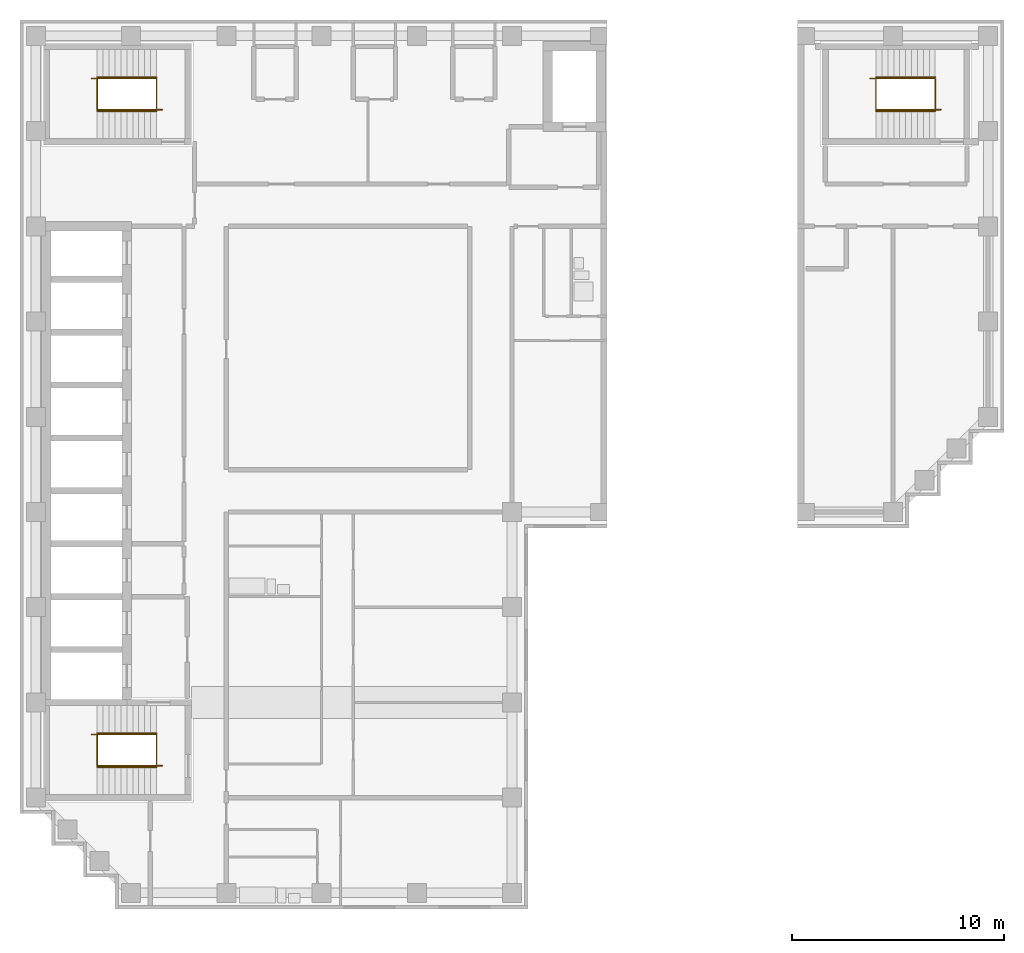
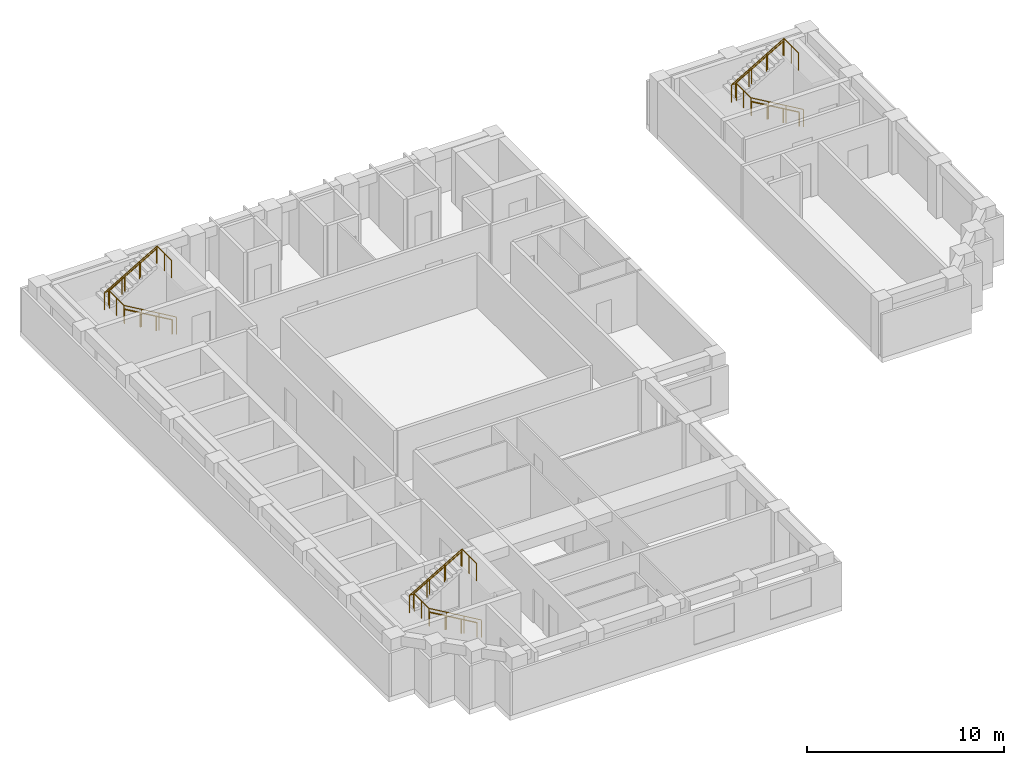
# One storey, part 6 of 7: 9 railings.
"""IFC4 building model written with IfcOpenShell, lengths in metres."""

from ifc_helpers import new_model, si_unit, direction, frame, origin, origin_2d, place, context, subcontext, project, spatial, circle, extrude, material, type_object, element, save


model = new_model("IFC4")

# Units and contexts
model_context = context("Model", 3, precision=1e-05, world=origin(), true_north=direction((0.0, 1.0)))
body_context = subcontext(model_context, "Body", "Model", "MODEL_VIEW")
ifc_project = project(units=[si_unit("LENGTHUNIT", "METRE"), si_unit("AREAUNIT", "SQUARE_METRE"), si_unit("VOLUMEUNIT", "CUBIC_METRE"), si_unit("PLANEANGLEUNIT", "RADIAN"), si_unit("MASSUNIT", "GRAM", prefix="KILO")], contexts=[model_context])

# Site, building, storey
site_placement = place(None, origin())
site = spatial("IfcSite", under=ifc_project, at=site_placement, CompositionType="ELEMENT")
building_placement = place(site_placement, origin())
building = spatial("IfcBuilding", under=site, at=building_placement, Name="Firuza Court", CompositionType="ELEMENT")
storey_placement = place(building_placement, frame((0.0, 0.0, 243.800048828125)))
storey = spatial("IfcBuildingStorey", under=building, at=storey_placement, Name="L63", CompositionType="ELEMENT", Elevation=243.800048828125)

# Railings
ifc_material_1 = material(Name="Steel S355", Category="steel")
railing_type_1 = type_object("IfcRailingType", Name="Handrail 900", PredefinedType="HANDRAIL", material=ifc_material_1)
railing_1_placement = place(storey_placement, frame((42.5, 54.949951171875, 0.16357421875)))
element("IfcRailing", 1, at=railing_1_placement, inside=storey, type_object=railing_type_1, Name="Handrail S1 flight 1", PredefinedType="HANDRAIL", context=body_context, shape_type="SweptSolid", body=[
    extrude(circle(Radius=0.02490234375, at=origin_2d()), frame((0.0, 0.0, 0.875), z_axis=(-0.863360870873, 0.0, 0.504586966384), x_axis=(0.0, -1.0, 0.0)), (0.0, 0.0, 1.0), 3.2431640625),
    extrude(circle(Radius=0.02001953125, at=origin_2d()), origin(), (0.0, 0.0, 1.0), 0.849853515625),
    extrude(circle(Radius=0.02001953125, at=origin_2d()), frame((-0.933349609375, 0.0, 0.54541015625)), (0.0, 0.0, 1.0), 0.849853515625),
    extrude(circle(Radius=0.02001953125, at=origin_2d()), frame((-1.86669921875, 0.0, 1.091064453125)), (0.0, 0.0, 1.0), 0.849853515625),
    extrude(circle(Radius=0.02001953125, at=origin_2d()), frame((-2.800048828125, 0.0, 1.636474609375)), (0.0, 0.0, 1.0), 0.849853515625),
])
railing_2_placement = place(storey_placement, frame((39.699951171875, 56.550048828125, 1.963623046875)))
element("IfcRailing", 2, at=railing_2_placement, inside=storey, type_object=railing_type_1, Name="Handrail S1 flight 2", PredefinedType="HANDRAIL", context=body_context, shape_type="SweptSolid", body=[
    extrude(circle(Radius=0.02490234375, at=origin_2d()), frame((0.0, 0.0, 0.875), z_axis=(0.863393664356, 0.0, 0.504530851732), x_axis=(0.0, 1.0, 0.0)), (0.0, 0.0, 1.0), 3.2431640625),
    extrude(circle(Radius=0.02001953125, at=origin_2d()), origin(), (0.0, 0.0, 1.0), 0.849853515625),
    extrude(circle(Radius=0.02001953125, at=origin_2d()), frame((0.933349609375, 0.0, 0.54541015625)), (0.0, 0.0, 1.0), 0.849853515625),
    extrude(circle(Radius=0.02001953125, at=origin_2d()), frame((1.86669921875, 0.0, 1.0908203125)), (0.0, 0.0, 1.0), 0.849853515625),
    extrude(circle(Radius=0.02001953125, at=origin_2d()), frame((2.800048828125, 0.0, 1.63623046875)), (0.0, 0.0, 1.0), 0.849853515625),
])
railing_3_placement = place(storey_placement, frame((5.699951171875, 23.949951171875, 0.16357421875)))
element("IfcRailing", 3, at=railing_3_placement, inside=storey, type_object=railing_type_1, Name="Handrail S2 flight 1", PredefinedType="HANDRAIL", context=body_context, shape_type="SweptSolid", body=[
    extrude(circle(Radius=0.02490234375, at=origin_2d()), frame((0.0, 0.0, 0.875), z_axis=(-0.863360870873, 0.0, 0.504586966384), x_axis=(0.0, -1.0, 0.0)), (0.0, 0.0, 1.0), 3.2431640625),
    extrude(circle(Radius=0.02001953125, at=origin_2d()), origin(), (0.0, 0.0, 1.0), 0.849853515625),
    extrude(circle(Radius=0.02001953125, at=origin_2d()), frame((-0.933349609375, 0.0, 0.54541015625)), (0.0, 0.0, 1.0), 0.849853515625),
    extrude(circle(Radius=0.02001953125, at=origin_2d()), frame((-1.86669921875, 0.0, 1.091064453125)), (0.0, 0.0, 1.0), 0.849853515625),
    extrude(circle(Radius=0.02001953125, at=origin_2d()), frame((-2.800048828125, 0.0, 1.636474609375)), (0.0, 0.0, 1.0), 0.849853515625),
])
railing_4_placement = place(storey_placement, frame((2.89990234375, 25.550048828125, 1.963623046875)))
element("IfcRailing", 4, at=railing_4_placement, inside=storey, type_object=railing_type_1, Name="Handrail S2 flight 2", PredefinedType="HANDRAIL", context=body_context, shape_type="SweptSolid", body=[
    extrude(circle(Radius=0.02490234375, at=origin_2d()), frame((0.0, 0.0, 0.875), z_axis=(0.863393664356, 0.0, 0.504530851732), x_axis=(0.0, 1.0, 0.0)), (0.0, 0.0, 1.0), 3.2431640625),
    extrude(circle(Radius=0.02001953125, at=origin_2d()), origin(), (0.0, 0.0, 1.0), 0.849853515625),
    extrude(circle(Radius=0.02001953125, at=origin_2d()), frame((0.933349609375, 0.0, 0.54541015625)), (0.0, 0.0, 1.0), 0.849853515625),
    extrude(circle(Radius=0.02001953125, at=origin_2d()), frame((1.86669921875, 0.0, 1.0908203125)), (0.0, 0.0, 1.0), 0.849853515625),
    extrude(circle(Radius=0.02001953125, at=origin_2d()), frame((2.800048828125, 0.0, 1.63623046875)), (0.0, 0.0, 1.0), 0.849853515625),
])
railing_5_placement = place(storey_placement, frame((5.699951171875, 54.949951171875, 0.16357421875)))
element("IfcRailing", 5, at=railing_5_placement, inside=storey, type_object=railing_type_1, Name="Handrail S3 flight 1", PredefinedType="HANDRAIL", context=body_context, shape_type="SweptSolid", body=[
    extrude(circle(Radius=0.02490234375, at=origin_2d()), frame((0.0, 0.0, 0.875), z_axis=(-0.863360870873, 0.0, 0.504586966384), x_axis=(0.0, -1.0, 0.0)), (0.0, 0.0, 1.0), 3.2431640625),
    extrude(circle(Radius=0.02001953125, at=origin_2d()), origin(), (0.0, 0.0, 1.0), 0.849853515625),
    extrude(circle(Radius=0.02001953125, at=origin_2d()), frame((-0.933349609375, 0.0, 0.54541015625)), (0.0, 0.0, 1.0), 0.849853515625),
    extrude(circle(Radius=0.02001953125, at=origin_2d()), frame((-1.86669921875, 0.0, 1.091064453125)), (0.0, 0.0, 1.0), 0.849853515625),
    extrude(circle(Radius=0.02001953125, at=origin_2d()), frame((-2.800048828125, 0.0, 1.636474609375)), (0.0, 0.0, 1.0), 0.849853515625),
])
railing_6_placement = place(storey_placement, frame((2.89990234375, 56.550048828125, 1.963623046875)))
element("IfcRailing", 6, at=railing_6_placement, inside=storey, type_object=railing_type_1, Name="Handrail S3 flight 2", PredefinedType="HANDRAIL", context=body_context, shape_type="SweptSolid", body=[
    extrude(circle(Radius=0.02490234375, at=origin_2d()), frame((0.0, 0.0, 0.875), z_axis=(0.863393664356, 0.0, 0.504530851732), x_axis=(0.0, 1.0, 0.0)), (0.0, 0.0, 1.0), 3.2431640625),
    extrude(circle(Radius=0.02001953125, at=origin_2d()), origin(), (0.0, 0.0, 1.0), 0.849853515625),
    extrude(circle(Radius=0.02001953125, at=origin_2d()), frame((0.933349609375, 0.0, 0.54541015625)), (0.0, 0.0, 1.0), 0.849853515625),
    extrude(circle(Radius=0.02001953125, at=origin_2d()), frame((1.86669921875, 0.0, 1.0908203125)), (0.0, 0.0, 1.0), 0.849853515625),
    extrude(circle(Radius=0.02001953125, at=origin_2d()), frame((2.800048828125, 0.0, 1.63623046875)), (0.0, 0.0, 1.0), 0.849853515625),
])
ifc_material_2 = material(Name="Steel S355", Category="steel")
railing_type_2 = type_object("IfcRailingType", Name="Stair guard 1100", PredefinedType="GUARDRAIL", material=ifc_material_2)
railing_7_placement = place(storey_placement, frame((42.780029296875, 55.010009765625, 0.0)))
element("IfcRailing", 7, at=railing_7_placement, inside=storey, type_object=railing_type_2, Name="Stair well guard S1", PredefinedType="GUARDRAIL", context=body_context, shape_type="SweptSolid", body=[
    extrude(circle(Radius=0.02490234375, at=origin_2d()), frame((0.0, 0.0, 1.0751953125), z_axis=(-0.863371556955, 0.0, 0.504568681787), x_axis=(0.0, -1.0, 0.0)), (0.0, 0.0, 1.0), 3.5673828125),
    extrude(circle(Radius=0.02490234375, at=origin_2d()), frame((-3.080078125, 0.0, 2.875), z_axis=(0.0, 1.0, 0.0), x_axis=(-1.0, 0.0, 0.0)), (0.0, 0.0, 1.0), 1.47998046875),
    extrude(circle(Radius=0.02490234375, at=origin_2d()), frame((-3.080078125, 1.47998046875, 2.875), z_axis=(-1.0, 0.0, 0.0), x_axis=(0.0, -1.0, 0.0)), (0.0, 0.0, 1.0), 0.280029296875),
    extrude(circle(Radius=0.02490234375, at=origin_2d()), frame((-3.360107421875, 1.47998046875, 2.875), z_axis=(0.863401368682, 0.0, 0.504517667242), x_axis=(0.0, 1.0, 0.0)), (0.0, 0.0, 1.0), 3.5673828125),
    extrude(circle(Radius=0.02490234375, at=origin_2d()), frame((-0.280029296875, 1.47998046875, 4.6748046875), z_axis=(0.0, -1.0, 0.0), x_axis=(1.0, 0.0, 0.0)), (0.0, 0.0, 1.0), 1.47998046875),
    extrude(circle(Radius=0.02490234375, at=origin_2d()), origin(), (0.0, 0.0, 1.0), 1.050048828125),
    extrude(circle(Radius=0.02490234375, at=origin_2d()), frame((-1.026611328125, 0.0, 0.60009765625)), (0.0, 0.0, 1.0), 1.050048828125),
    extrude(circle(Radius=0.02490234375, at=origin_2d()), frame((-2.053466796875, 0.0, 1.199951171875)), (0.0, 0.0, 1.0), 1.050048828125),
    extrude(circle(Radius=0.02490234375, at=origin_2d()), frame((-3.080078125, 0.0, 1.800048828125)), (0.0, 0.0, 1.0), 1.050048828125),
    extrude(circle(Radius=0.02490234375, at=origin_2d()), frame((-3.080078125, 0.739990234375, 1.800048828125)), (0.0, 0.0, 1.0), 1.050048828125),
    extrude(circle(Radius=0.02490234375, at=origin_2d()), frame((-3.080078125, 1.47998046875, 1.800048828125)), (0.0, 0.0, 1.0), 1.050048828125),
    extrude(circle(Radius=0.02490234375, at=origin_2d()), frame((-3.360107421875, 1.47998046875, 1.800048828125)), (0.0, 0.0, 1.0), 1.050048828125),
    extrude(circle(Radius=0.02490234375, at=origin_2d()), frame((-2.33349609375, 1.47998046875, 2.39990234375)), (0.0, 0.0, 1.0), 1.050048828125),
    extrude(circle(Radius=0.02490234375, at=origin_2d()), frame((-1.306640625, 1.47998046875, 3.0)), (0.0, 0.0, 1.0), 1.050048828125),
    extrude(circle(Radius=0.02490234375, at=origin_2d()), frame((-0.280029296875, 1.47998046875, 3.599853515625)), (0.0, 0.0, 1.0), 1.050048828125),
    extrude(circle(Radius=0.02490234375, at=origin_2d()), frame((-0.280029296875, 0.739990234375, 3.599853515625)), (0.0, 0.0, 1.0), 1.050048828125),
    extrude(circle(Radius=0.02490234375, at=origin_2d()), frame((-0.280029296875, 0.0, 3.599853515625)), (0.0, 0.0, 1.0), 1.050048828125),
])
railing_8_placement = place(storey_placement, frame((5.97998046875, 24.010009765625, 0.0)))
element("IfcRailing", 8, at=railing_8_placement, inside=storey, type_object=railing_type_2, Name="Stair well guard S2", PredefinedType="GUARDRAIL", context=body_context, shape_type="SweptSolid", body=[
    extrude(circle(Radius=0.02490234375, at=origin_2d()), frame((0.0, 0.0, 1.0751953125), z_axis=(-0.863371556955, 0.0, 0.504568681787), x_axis=(0.0, -1.0, 0.0)), (0.0, 0.0, 1.0), 3.5673828125),
    extrude(circle(Radius=0.02490234375, at=origin_2d()), frame((-3.080078125, 0.0, 2.875), z_axis=(0.0, 1.0, 0.0), x_axis=(-1.0, 0.0, 0.0)), (0.0, 0.0, 1.0), 1.47998046875),
    extrude(circle(Radius=0.02490234375, at=origin_2d()), frame((-3.080078125, 1.47998046875, 2.875), z_axis=(-1.0, 0.0, 0.0), x_axis=(0.0, -1.0, 0.0)), (0.0, 0.0, 1.0), 0.27978515625),
    extrude(circle(Radius=0.02490234375, at=origin_2d()), frame((-3.35986328125, 1.47998046875, 2.875), z_axis=(0.863383947312, 0.0, 0.504547479951), x_axis=(0.0, 1.0, 0.0)), (0.0, 0.0, 1.0), 3.567138671875),
    extrude(circle(Radius=0.02490234375, at=origin_2d()), frame((-0.280029296875, 1.47998046875, 4.6748046875), z_axis=(0.0, -1.0, 0.0), x_axis=(1.0, 0.0, 0.0)), (0.0, 0.0, 1.0), 1.47998046875),
    extrude(circle(Radius=0.02490234375, at=origin_2d()), origin(), (0.0, 0.0, 1.0), 1.050048828125),
    extrude(circle(Radius=0.02490234375, at=origin_2d()), frame((-1.026611328125, 0.0, 0.60009765625)), (0.0, 0.0, 1.0), 1.050048828125),
    extrude(circle(Radius=0.02490234375, at=origin_2d()), frame((-2.053466796875, 0.0, 1.199951171875)), (0.0, 0.0, 1.0), 1.050048828125),
    extrude(circle(Radius=0.02490234375, at=origin_2d()), frame((-3.080078125, 0.0, 1.800048828125)), (0.0, 0.0, 1.0), 1.050048828125),
    extrude(circle(Radius=0.02490234375, at=origin_2d()), frame((-3.080078125, 0.739990234375, 1.800048828125)), (0.0, 0.0, 1.0), 1.050048828125),
    extrude(circle(Radius=0.02490234375, at=origin_2d()), frame((-3.080078125, 1.47998046875, 1.800048828125)), (0.0, 0.0, 1.0), 1.050048828125),
    extrude(circle(Radius=0.02490234375, at=origin_2d()), frame((-3.35986328125, 1.47998046875, 1.800048828125)), (0.0, 0.0, 1.0), 1.050048828125),
    extrude(circle(Radius=0.02490234375, at=origin_2d()), frame((-2.333251953125, 1.47998046875, 2.39990234375)), (0.0, 0.0, 1.0), 1.050048828125),
    extrude(circle(Radius=0.02490234375, at=origin_2d()), frame((-1.306640625, 1.47998046875, 3.0)), (0.0, 0.0, 1.0), 1.050048828125),
    extrude(circle(Radius=0.02490234375, at=origin_2d()), frame((-0.280029296875, 1.47998046875, 3.599853515625)), (0.0, 0.0, 1.0), 1.050048828125),
    extrude(circle(Radius=0.02490234375, at=origin_2d()), frame((-0.280029296875, 0.739990234375, 3.599853515625)), (0.0, 0.0, 1.0), 1.050048828125),
    extrude(circle(Radius=0.02490234375, at=origin_2d()), frame((-0.280029296875, 0.0, 3.599853515625)), (0.0, 0.0, 1.0), 1.050048828125),
])
railing_9_placement = place(storey_placement, frame((5.97998046875, 55.010009765625, 0.0)))
element("IfcRailing", 9, at=railing_9_placement, inside=storey, type_object=railing_type_2, Name="Stair well guard S3", PredefinedType="GUARDRAIL", context=body_context, shape_type="SweptSolid", body=[
    extrude(circle(Radius=0.02490234375, at=origin_2d()), frame((0.0, 0.0, 1.0751953125), z_axis=(-0.863371556955, 0.0, 0.504568681787), x_axis=(0.0, -1.0, 0.0)), (0.0, 0.0, 1.0), 3.5673828125),
    extrude(circle(Radius=0.02490234375, at=origin_2d()), frame((-3.080078125, 0.0, 2.875), z_axis=(0.0, 1.0, 0.0), x_axis=(-1.0, 0.0, 0.0)), (0.0, 0.0, 1.0), 1.47998046875),
    extrude(circle(Radius=0.02490234375, at=origin_2d()), frame((-3.080078125, 1.47998046875, 2.875), z_axis=(-1.0, 0.0, 0.0), x_axis=(0.0, -1.0, 0.0)), (0.0, 0.0, 1.0), 0.27978515625),
    extrude(circle(Radius=0.02490234375, at=origin_2d()), frame((-3.35986328125, 1.47998046875, 2.875), z_axis=(0.863383947312, 0.0, 0.504547479951), x_axis=(0.0, 1.0, 0.0)), (0.0, 0.0, 1.0), 3.567138671875),
    extrude(circle(Radius=0.02490234375, at=origin_2d()), frame((-0.280029296875, 1.47998046875, 4.6748046875), z_axis=(0.0, -1.0, 0.0), x_axis=(1.0, 0.0, 0.0)), (0.0, 0.0, 1.0), 1.47998046875),
    extrude(circle(Radius=0.02490234375, at=origin_2d()), origin(), (0.0, 0.0, 1.0), 1.050048828125),
    extrude(circle(Radius=0.02490234375, at=origin_2d()), frame((-1.026611328125, 0.0, 0.60009765625)), (0.0, 0.0, 1.0), 1.050048828125),
    extrude(circle(Radius=0.02490234375, at=origin_2d()), frame((-2.053466796875, 0.0, 1.199951171875)), (0.0, 0.0, 1.0), 1.050048828125),
    extrude(circle(Radius=0.02490234375, at=origin_2d()), frame((-3.080078125, 0.0, 1.800048828125)), (0.0, 0.0, 1.0), 1.050048828125),
    extrude(circle(Radius=0.02490234375, at=origin_2d()), frame((-3.080078125, 0.739990234375, 1.800048828125)), (0.0, 0.0, 1.0), 1.050048828125),
    extrude(circle(Radius=0.02490234375, at=origin_2d()), frame((-3.080078125, 1.47998046875, 1.800048828125)), (0.0, 0.0, 1.0), 1.050048828125),
    extrude(circle(Radius=0.02490234375, at=origin_2d()), frame((-3.35986328125, 1.47998046875, 1.800048828125)), (0.0, 0.0, 1.0), 1.050048828125),
    extrude(circle(Radius=0.02490234375, at=origin_2d()), frame((-2.333251953125, 1.47998046875, 2.39990234375)), (0.0, 0.0, 1.0), 1.050048828125),
    extrude(circle(Radius=0.02490234375, at=origin_2d()), frame((-1.306640625, 1.47998046875, 3.0)), (0.0, 0.0, 1.0), 1.050048828125),
    extrude(circle(Radius=0.02490234375, at=origin_2d()), frame((-0.280029296875, 1.47998046875, 3.599853515625)), (0.0, 0.0, 1.0), 1.050048828125),
    extrude(circle(Radius=0.02490234375, at=origin_2d()), frame((-0.280029296875, 0.739990234375, 3.599853515625)), (0.0, 0.0, 1.0), 1.050048828125),
    extrude(circle(Radius=0.02490234375, at=origin_2d()), frame((-0.280029296875, 0.0, 3.599853515625)), (0.0, 0.0, 1.0), 1.050048828125),
])

save(model, "model.ifc")
